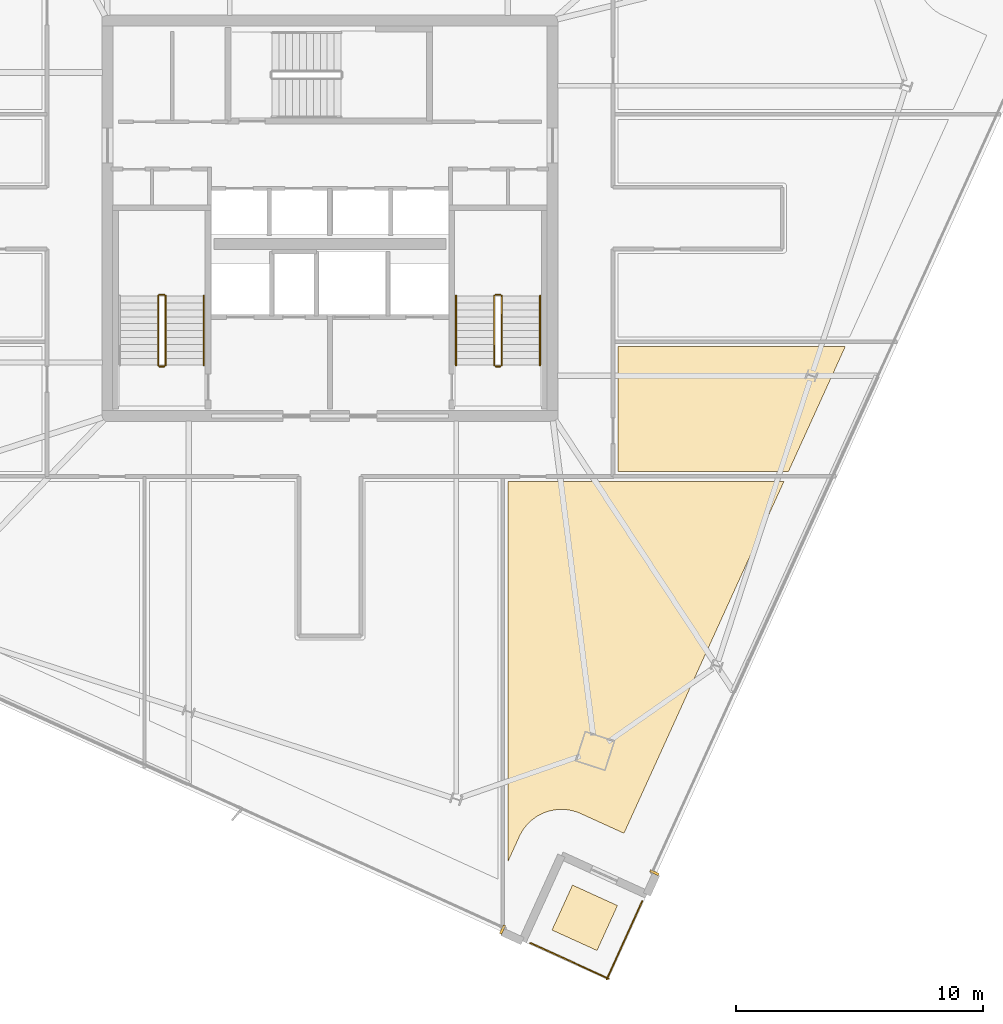
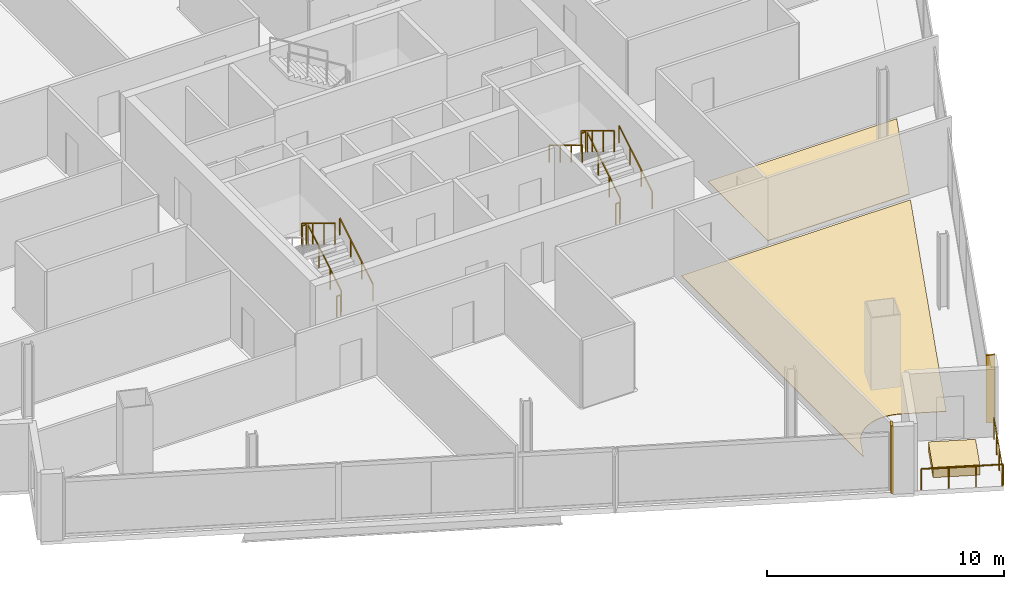
# One storey, part 23 of 26: 13 railings, 5 coverings.
"""IFC4 building model written with IfcOpenShell, lengths in metres."""

from ifc_helpers import new_model, si_unit, direction, frame, origin, origin_2d, place, context, subcontext, project, spatial, polyline, rectangle, outline, extrude, source, transform, mapped, material, layer, layer_set, type_object, element, save


model = new_model("IFC4")

# Units and contexts
model_context = context("Model", 3, precision=1e-05, world=origin(), true_north=direction((0.0, 1.0)))
body_context = subcontext(model_context, "Body", "Model", "MODEL_VIEW")
ifc_project = project(units=[si_unit("LENGTHUNIT", "METRE"), si_unit("AREAUNIT", "SQUARE_METRE"), si_unit("VOLUMEUNIT", "CUBIC_METRE"), si_unit("PLANEANGLEUNIT", "RADIAN"), si_unit("MASSUNIT", "GRAM", prefix="KILO")], contexts=[model_context])

# Site, building, storey
site_placement = place(None, origin())
site = spatial("IfcSite", under=ifc_project, at=site_placement, CompositionType="ELEMENT")
building_placement = place(site_placement, origin())
building = spatial("IfcBuilding", under=site, at=building_placement, Name="Haldenkirk Collegiate Tower", CompositionType="ELEMENT")
storey_placement = place(building_placement, frame((0.0, 0.0, 248.699951171875)))
storey = spatial("IfcBuildingStorey", under=building, at=storey_placement, Name="L62", CompositionType="ELEMENT", Elevation=248.699951171875)

# Coverings
ifc_material_1 = material(Name="Engineered collegiate oak acoustic flooring", Category="wood")
ifc_layer_1 = layer(ifc_material_1, 0.02197265625)
ifc_layer_set_1 = layer_set([ifc_layer_1], Name="Engineered collegiate oak acoustic flooring")
covering_type_1 = type_object("IfcCoveringType", Name="COV-FLOOR-TIMBER", PredefinedType="FLOORING", material=ifc_layer_set_1)
covering_1_placement = place(storey_placement, origin())
element("IfcCovering", 1, at=covering_1_placement, inside=storey, type_object=covering_type_1, Name="L62 academic room finish 03", PredefinedType="FLOORING", context=body_context, shape_type="SweptSolid", body=[
    extrude(outline(polyline([(45.435302734375, 2.079345703125), (45.423583984375, 2.079833984375), (45.251708984375, 2.0771484375), (45.239990234375, 2.076416015625), (45.0693359375, 2.056884765625), (45.057861328125, 2.05517578125), (44.889892578125, 2.01904296875), (44.87841796875, 2.01611328125), (44.71484375, 1.963623046875), (44.703857421875, 1.959716796875), (44.546142578125, 1.8916015625), (44.53564453125, 1.88623046875), (44.385498046875, 1.802978515625), (44.37548828125, 1.796875), (44.234130859375, 1.699462890625), (44.224853515625, 1.692138671875), (44.09375, 1.581298828125), (44.085205078125, 1.5732421875), (43.965576171875, 1.449951171875), (43.957763671875, 1.441162109375), (43.850830078125, 1.306640625), (43.843994140625, 1.297119140625), (43.75048828125, 1.153076171875), (43.74462890625, 1.142822265625), (43.666015625, 0.989990234375), (43.66357421875, 0.98486328125), (43.199951171875, -0.03466796875), (43.199951171875, 15.35009765625), (54.369140625, 15.35009765625), (47.896728515625, 1.1142578125), (46.139892578125, 1.9130859375), (46.13427734375, 1.915283203125), (45.974609375, 1.978759765625), (45.963623046875, 1.982421875), (45.798583984375, 2.02978515625), (45.787109375, 2.03271484375), (45.6181640625, 2.0634765625), (45.6064453125, 2.065185546875), (45.435302734375, 2.079345703125)])), origin(), (0.0, 0.0, 1.0), 0.02197265625),
])
covering_2_placement = place(storey_placement, origin())
element("IfcCovering", 2, at=covering_2_placement, inside=storey, type_object=covering_type_1, Name="L62 academic room finish 09", PredefinedType="FLOORING", context=body_context, shape_type="SweptSolid", body=[
    extrude(outline(polyline([(54.551025390625, 15.75), (47.64990234375, 15.75), (47.64990234375, 20.800048828125), (56.84716796875, 20.800048828125), (54.551025390625, 15.75)])), origin(), (0.0, 0.0, 1.0), 0.02197265625),
])
ifc_material_2 = material(Name="Precast concrete f'c 40 MPa", Category="concrete")
ifc_layer_2 = layer(ifc_material_2, 0.449951171875)
ifc_layer_set_2 = layer_set([ifc_layer_2], Name="Precast concrete f'c 40 MPa")
covering_type_2 = type_object("IfcCoveringType", Name="COV-PLANTER-450", PredefinedType="USERDEFINED", material=ifc_layer_set_2)
covering_3_placement = place(storey_placement, origin())
element("IfcCovering", 3, at=covering_3_placement, inside=storey, type_object=covering_type_2, Name="L62 planted garden planter bed", ObjectType="PLANTER", PredefinedType="USERDEFINED", context=body_context, shape_type="SweptSolid", body=[
    extrude(outline(polyline([(46.805419921875, -3.62939453125), (44.98486328125, -2.801513671875), (45.8125, -0.98095703125), (47.63330078125, -1.808837890625), (46.805419921875, -3.62939453125)])), origin(), (0.0, 0.0, 1.0), 0.449951171875),
])

# Railings
ifc_material_3 = material(Name="Painted architectural tubular steel", Category="steel")
railing_type_1 = type_object("IfcRailingType", Name="RLG-STAIR-GUARD-1100", PredefinedType="BALUSTRADE", material=ifc_material_3)
railing_1_placement = place(storey_placement, frame((29.35009765625, 20.050048828125, 0.17041015625)))
element("IfcRailing", 4, at=railing_1_placement, inside=storey, type_object=railing_type_1, Name="L62 ST-1 stair guard 1", PredefinedType="BALUSTRADE", context=body_context, shape_type="SweptSolid", body=[
    extrude(rectangle(XDim=0.048095703125, YDim=0.048095703125, at=origin_2d()), frame((0.0, 0.0, 1.076171875), z_axis=(0.0, 0.854169791009, 0.51999420009), x_axis=(-1.0, 0.0, 0.0)), (0.0, 0.0, 1.0), 3.278076171875),
    extrude(rectangle(XDim=0.0419921875, YDim=0.0419921875, at=origin_2d()), origin(), (0.0, 0.0, 1.0), 1.052001953125),
    extrude(rectangle(XDim=0.0419921875, YDim=0.0419921875, at=origin_2d()), frame((0.0, 0.933349609375, 0.568115234375)), (0.0, 0.0, 1.0), 1.052001953125),
    extrude(rectangle(XDim=0.0419921875, YDim=0.0419921875, at=origin_2d()), frame((0.0, 1.86669921875, 1.136474609375)), (0.0, 0.0, 1.0), 1.052001953125),
    extrude(rectangle(XDim=0.0419921875, YDim=0.0419921875, at=origin_2d()), frame((0.0, 2.800048828125, 1.70458984375)), (0.0, 0.0, 1.0), 1.052001953125),
])
railing_2_placement = place(storey_placement, frame((29.300048828125, 22.89990234375, 1.875)))
element("IfcRailing", 5, at=railing_2_placement, inside=storey, type_object=railing_type_1, Name="L62 ST-1 stair guard 2", PredefinedType="BALUSTRADE", context=body_context, shape_type="SweptSolid", body=[
    extrude(rectangle(XDim=0.048095703125, YDim=0.048095703125, at=origin_2d()), frame((0.0, 0.0, 1.076171875), z_axis=(-1.0, 0.0, 0.0), x_axis=(0.0, -1.0, 0.0)), (0.0, 0.0, 1.0), 0.199951171875),
    extrude(rectangle(XDim=0.0419921875, YDim=0.0419921875, at=origin_2d()), origin(), (0.0, 0.0, 1.0), 1.052001953125),
    extrude(rectangle(XDim=0.0419921875, YDim=0.0419921875, at=origin_2d()), frame((-0.199951171875, 0.0, 0.0)), (0.0, 0.0, 1.0), 1.052001953125),
])
railing_3_placement = place(storey_placement, frame((29.050048828125, 22.85009765625, 2.04541015625)))
element("IfcRailing", 6, at=railing_3_placement, inside=storey, type_object=railing_type_1, Name="L62 ST-1 stair guard 3", PredefinedType="BALUSTRADE", context=body_context, shape_type="SweptSolid", body=[
    extrude(rectangle(XDim=0.048095703125, YDim=0.048095703125, at=origin_2d()), frame((0.0, 0.0, 1.076171875), z_axis=(0.0, -0.854169791009, 0.51999420009), x_axis=(1.0, 0.0, 0.0)), (0.0, 0.0, 1.0), 3.278076171875),
    extrude(rectangle(XDim=0.0419921875, YDim=0.0419921875, at=origin_2d()), origin(), (0.0, 0.0, 1.0), 1.052001953125),
    extrude(rectangle(XDim=0.0419921875, YDim=0.0419921875, at=origin_2d()), frame((0.0, -0.933349609375, 0.568115234375)), (0.0, 0.0, 1.0), 1.052001953125),
    extrude(rectangle(XDim=0.0419921875, YDim=0.0419921875, at=origin_2d()), frame((0.0, -1.86669921875, 1.136474609375)), (0.0, 0.0, 1.0), 1.052001953125),
    extrude(rectangle(XDim=0.0419921875, YDim=0.0419921875, at=origin_2d()), frame((0.0, -2.800048828125, 1.70458984375)), (0.0, 0.0, 1.0), 1.052001953125),
])
railing_4_placement = place(storey_placement, frame((29.300048828125, 20.0, 0.0)))
element("IfcRailing", 7, at=railing_4_placement, inside=storey, type_object=railing_type_1, Name="L62 ST-1 stair guard 4", PredefinedType="BALUSTRADE", context=body_context, shape_type="SweptSolid", body=[
    extrude(rectangle(XDim=0.048095703125, YDim=0.048095703125, at=origin_2d()), frame((0.0, 0.0, 1.076171875), z_axis=(-1.0, 0.0, 0.0), x_axis=(0.0, -1.0, 0.0)), (0.0, 0.0, 1.0), 0.199951171875),
    extrude(rectangle(XDim=0.0419921875, YDim=0.0419921875, at=origin_2d()), origin(), (0.0, 0.0, 1.0), 1.052001953125),
    extrude(rectangle(XDim=0.0419921875, YDim=0.0419921875, at=origin_2d()), frame((-0.199951171875, 0.0, 0.0)), (0.0, 0.0, 1.0), 1.052001953125),
])
railing_5_placement = place(storey_placement, frame((42.949951171875, 20.050048828125, 0.17041015625)))
element("IfcRailing", 8, at=railing_5_placement, inside=storey, type_object=railing_type_1, Name="L62 ST-2 stair guard 1", PredefinedType="BALUSTRADE", context=body_context, shape_type="SweptSolid", body=[
    extrude(rectangle(XDim=0.048095703125, YDim=0.048095703125, at=origin_2d()), frame((0.0, 0.0, 1.076171875), z_axis=(0.0, 0.854169791009, 0.51999420009), x_axis=(-1.0, 0.0, 0.0)), (0.0, 0.0, 1.0), 3.278076171875),
    extrude(rectangle(XDim=0.0419921875, YDim=0.0419921875, at=origin_2d()), origin(), (0.0, 0.0, 1.0), 1.052001953125),
    extrude(rectangle(XDim=0.0419921875, YDim=0.0419921875, at=origin_2d()), frame((0.0, 0.933349609375, 0.568115234375)), (0.0, 0.0, 1.0), 1.052001953125),
    extrude(rectangle(XDim=0.0419921875, YDim=0.0419921875, at=origin_2d()), frame((0.0, 1.86669921875, 1.136474609375)), (0.0, 0.0, 1.0), 1.052001953125),
    extrude(rectangle(XDim=0.0419921875, YDim=0.0419921875, at=origin_2d()), frame((0.0, 2.800048828125, 1.70458984375)), (0.0, 0.0, 1.0), 1.052001953125),
])
railing_6_placement = place(storey_placement, frame((42.89990234375, 22.89990234375, 1.875)))
element("IfcRailing", 9, at=railing_6_placement, inside=storey, type_object=railing_type_1, Name="L62 ST-2 stair guard 2", PredefinedType="BALUSTRADE", context=body_context, shape_type="SweptSolid", body=[
    extrude(rectangle(XDim=0.048095703125, YDim=0.048095703125, at=origin_2d()), frame((0.0, 0.0, 1.076171875), z_axis=(-1.0, 0.0, 0.0), x_axis=(0.0, -1.0, 0.0)), (0.0, 0.0, 1.0), 0.199951171875),
    extrude(rectangle(XDim=0.0419921875, YDim=0.0419921875, at=origin_2d()), origin(), (0.0, 0.0, 1.0), 1.052001953125),
    extrude(rectangle(XDim=0.0419921875, YDim=0.0419921875, at=origin_2d()), frame((-0.199951171875, 0.0, 0.0)), (0.0, 0.0, 1.0), 1.052001953125),
])
railing_7_placement = place(storey_placement, frame((42.64990234375, 22.85009765625, 2.04541015625)))
element("IfcRailing", 10, at=railing_7_placement, inside=storey, type_object=railing_type_1, Name="L62 ST-2 stair guard 3", PredefinedType="BALUSTRADE", context=body_context, shape_type="SweptSolid", body=[
    extrude(rectangle(XDim=0.048095703125, YDim=0.048095703125, at=origin_2d()), frame((0.0, 0.0, 1.076171875), z_axis=(0.0, -0.854169791009, 0.51999420009), x_axis=(1.0, 0.0, 0.0)), (0.0, 0.0, 1.0), 3.278076171875),
    extrude(rectangle(XDim=0.0419921875, YDim=0.0419921875, at=origin_2d()), origin(), (0.0, 0.0, 1.0), 1.052001953125),
    extrude(rectangle(XDim=0.0419921875, YDim=0.0419921875, at=origin_2d()), frame((0.0, -0.933349609375, 0.568115234375)), (0.0, 0.0, 1.0), 1.052001953125),
    extrude(rectangle(XDim=0.0419921875, YDim=0.0419921875, at=origin_2d()), frame((0.0, -1.86669921875, 1.136474609375)), (0.0, 0.0, 1.0), 1.052001953125),
    extrude(rectangle(XDim=0.0419921875, YDim=0.0419921875, at=origin_2d()), frame((0.0, -2.800048828125, 1.70458984375)), (0.0, 0.0, 1.0), 1.052001953125),
])
railing_8_placement = place(storey_placement, frame((42.89990234375, 20.0, 0.0)))
element("IfcRailing", 11, at=railing_8_placement, inside=storey, type_object=railing_type_1, Name="L62 ST-2 stair guard 4", PredefinedType="BALUSTRADE", context=body_context, shape_type="SweptSolid", body=[
    extrude(rectangle(XDim=0.048095703125, YDim=0.048095703125, at=origin_2d()), frame((0.0, 0.0, 1.076171875), z_axis=(-1.0, 0.0, 0.0), x_axis=(0.0, -1.0, 0.0)), (0.0, 0.0, 1.0), 0.199951171875),
    extrude(rectangle(XDim=0.0419921875, YDim=0.0419921875, at=origin_2d()), origin(), (0.0, 0.0, 1.0), 1.052001953125),
    extrude(rectangle(XDim=0.0419921875, YDim=0.0419921875, at=origin_2d()), frame((-0.199951171875, 0.0, 0.0)), (0.0, 0.0, 1.0), 1.052001953125),
])
railing_type_2 = type_object("IfcRailingType", Name="RLG-STAIR-HANDRAIL-900", PredefinedType="HANDRAIL", material=ifc_material_3)
for number, where, name in (
    (12, (30.89990234375, 20.050048828125, 0.17041015625), "L62 ST-1 stair handrail 1"),
    (13, (44.5, 20.050048828125, 0.17041015625), "L62 ST-2 stair handrail 1"),
):
    element("IfcRailing", number, at=place(storey_placement, frame(where)), inside=storey, type_object=railing_type_2, Name=name, PredefinedType="HANDRAIL", context=body_context, shape_type="SweptSolid", body=[
        extrude(rectangle(XDim=0.048095703125, YDim=0.048095703125, at=origin_2d()), frame((0.0, 0.0, 0.8759765625), z_axis=(0.0, 0.854169791009, 0.51999420009), x_axis=(-1.0, 0.0, 0.0)), (0.0, 0.0, 1.0), 3.278076171875),
        extrude(rectangle(XDim=0.0419921875, YDim=0.0419921875, at=origin_2d()), origin(), (0.0, 0.0, 1.0), 0.851806640625),
        extrude(rectangle(XDim=0.0419921875, YDim=0.0419921875, at=origin_2d()), frame((0.0, 0.933349609375, 0.568115234375)), (0.0, 0.0, 1.0), 0.851806640625),
        extrude(rectangle(XDim=0.0419921875, YDim=0.0419921875, at=origin_2d()), frame((0.0, 1.86669921875, 1.136474609375)), (0.0, 0.0, 1.0), 0.851806640625),
        extrude(rectangle(XDim=0.0419921875, YDim=0.0419921875, at=origin_2d()), frame((0.0, 2.800048828125, 1.70458984375)), (0.0, 0.0, 1.0), 0.851806640625),
    ])
railing_9_placement = place(storey_placement, frame((41.10009765625, 22.85009765625, 2.04541015625)))
element("IfcRailing", 14, at=railing_9_placement, inside=storey, type_object=railing_type_2, Name="L62 ST-2 stair handrail 2", PredefinedType="HANDRAIL", context=body_context, shape_type="SweptSolid", body=[
    extrude(rectangle(XDim=0.048095703125, YDim=0.048095703125, at=origin_2d()), frame((0.0, 0.0, 0.8759765625), z_axis=(0.0, -0.854169791009, 0.51999420009), x_axis=(1.0, 0.0, 0.0)), (0.0, 0.0, 1.0), 3.278076171875),
    extrude(rectangle(XDim=0.0419921875, YDim=0.0419921875, at=origin_2d()), origin(), (0.0, 0.0, 1.0), 0.851806640625),
    extrude(rectangle(XDim=0.0419921875, YDim=0.0419921875, at=origin_2d()), frame((0.0, -0.933349609375, 0.568115234375)), (0.0, 0.0, 1.0), 0.851806640625),
    extrude(rectangle(XDim=0.0419921875, YDim=0.0419921875, at=origin_2d()), frame((0.0, -1.86669921875, 1.136474609375)), (0.0, 0.0, 1.0), 0.851806640625),
    extrude(rectangle(XDim=0.0419921875, YDim=0.0419921875, at=origin_2d()), frame((0.0, -2.800048828125, 1.70458984375)), (0.0, 0.0, 1.0), 0.851806640625),
])
ifc_material_4 = material(Name="Anodised architectural bronze aluminium", Category="aluminium")
railing_type_3 = type_object("IfcRailingType", Name="RLG-TERR-BALUSTRADE-1100", PredefinedType="BALUSTRADE", material=ifc_material_4)
railing_10_placement = place(storey_placement, frame((47.197509765625, -4.79638671875, 0.0)))
element("IfcRailing", 15, at=railing_10_placement, inside=storey, type_object=railing_type_3, Name="L62 terrace guard balustrade 1-1", PredefinedType="BALUSTRADE", context=body_context, shape_type="SweptSolid", body=[
    extrude(rectangle(XDim=0.048095703125, YDim=0.048095703125, at=origin_2d()), frame((0.0, 0.0, 1.076171875), z_axis=(0.413908653032, 0.910318420634, 0.0), x_axis=(-0.910318420634, 0.413908653032, 0.0)), (0.0, 0.0, 1.0), 3.47998046875),
    extrude(rectangle(XDim=0.0419921875, YDim=0.0419921875, at=origin_2d()), origin(), (0.0, 0.0, 1.0), 1.052001953125),
    extrude(rectangle(XDim=0.0419921875, YDim=0.0419921875, at=origin_2d()), frame((0.480224609375, 1.055908203125, 0.0)), (0.0, 0.0, 1.0), 1.052001953125),
    extrude(rectangle(XDim=0.0419921875, YDim=0.0419921875, at=origin_2d()), frame((0.960205078125, 2.112060546875, 0.0)), (0.0, 0.0, 1.0), 1.052001953125),
    extrude(rectangle(XDim=0.0419921875, YDim=0.0419921875, at=origin_2d()), frame((1.4404296875, 3.16796875, 0.0)), (0.0, 0.0, 1.0), 1.052001953125),
])
railing_11_placement = place(storey_placement, frame((44.109130859375, -3.326171875, 0.0)))
element("IfcRailing", 16, at=railing_11_placement, inside=storey, type_object=railing_type_3, Name="L62 terrace guard balustrade 4-1", PredefinedType="BALUSTRADE", context=body_context, shape_type="SweptSolid", body=[
    extrude(rectangle(XDim=0.048095703125, YDim=0.048095703125, at=origin_2d()), frame((0.0, 0.0, 1.076171875), z_axis=(0.910318420634, -0.413908653032, 0.0), x_axis=(0.413908653032, 0.910318420634, 0.0)), (0.0, 0.0, 1.0), 3.47998046875),
    extrude(rectangle(XDim=0.0419921875, YDim=0.0419921875, at=origin_2d()), origin(), (0.0, 0.0, 1.0), 1.052001953125),
    extrude(rectangle(XDim=0.0419921875, YDim=0.0419921875, at=origin_2d()), frame((1.055908203125, -0.480224609375, 0.0)), (0.0, 0.0, 1.0), 1.052001953125),
    extrude(rectangle(XDim=0.0419921875, YDim=0.0419921875, at=origin_2d()), frame((2.112060546875, -0.960205078125, 0.0)), (0.0, 0.0, 1.0), 1.052001953125),
    extrude(rectangle(XDim=0.0419921875, YDim=0.0419921875, at=origin_2d()), frame((3.16796875, -1.4404296875, 0.0)), (0.0, 0.0, 1.0), 1.052001953125),
])

# Coverings
ifc_layer_3 = layer(ifc_material_4, 0.06005859375)
ifc_layer_set_3 = layer_set([ifc_layer_3], Name="Anodised architectural bronze aluminium")
covering_type_3 = type_object("IfcCoveringType", Name="COV-CLAD-BRONZE-60", PredefinedType="CLADDING", material=ifc_layer_set_3)
shared_shape = source(origin(), body_context, "Body", "SweptSolid", [
    extrude(rectangle(XDim=0.10009765625, YDim=0.3798828125, at=origin_2d()), origin(), (0.0, 0.0, 1.0), 3.47998046875),
])
for number, where, z_axis, x_axis, name in (
    (17, (49.1279296875, -0.47802734375, 0.0), (0.0, 0.0, 1.0), (-0.413898993841, -0.910322812467, 0.0), "L62 recessed curtain-wall bronze jamb closure SJR"),
    (18, (42.983642578125, -2.781494140625, 0.0), (0.0, 0.0, 1.0), (-0.910322812467, 0.413898993841, 0.0), "L62 recessed curtain-wall bronze jamb closure WJL"),
):
    element("IfcCovering", number, at=place(storey_placement, frame(where, z_axis=z_axis, x_axis=x_axis)), inside=storey, type_object=covering_type_3, Name=name, PredefinedType="CLADDING", context=body_context, shape_type="MappedRepresentation", body=[
        mapped(shared_shape, transform((0.0, 0.0, 0.0), x_axis=(1.0, 0.0, 0.0), y_axis=(0.0, 1.0, 0.0), z_axis=(0.0, 0.0, 1.0), scale=1.0)),
    ])

save(model, "model.ifc")
